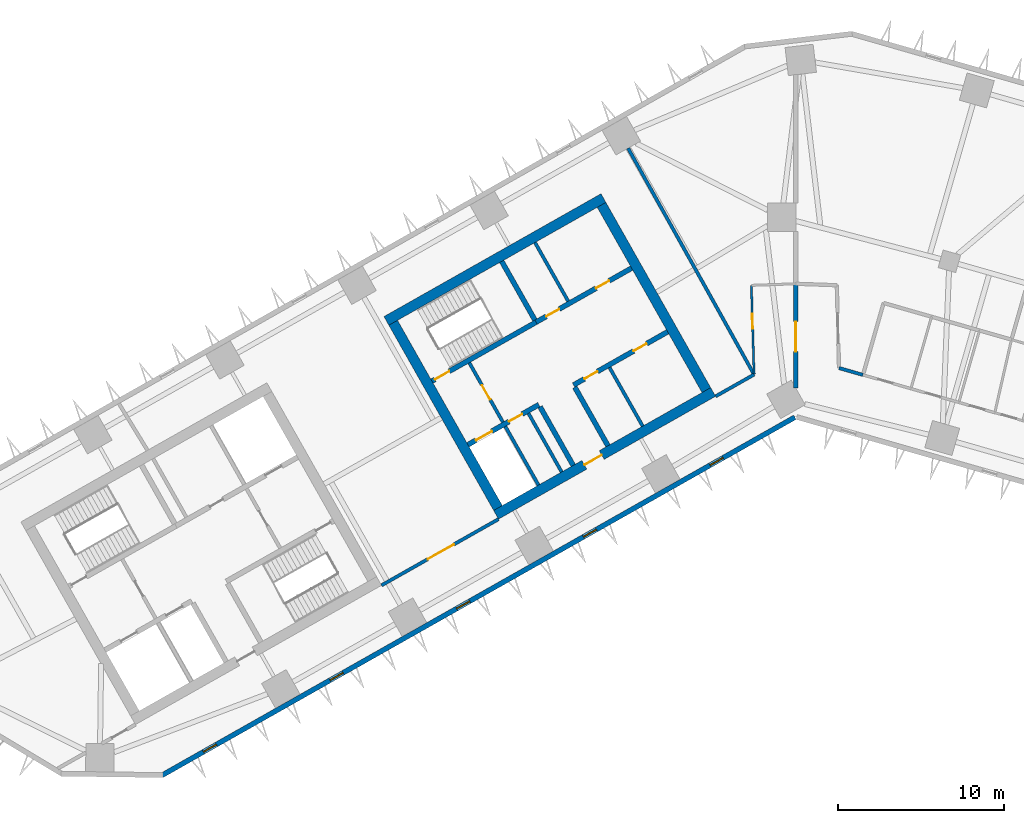
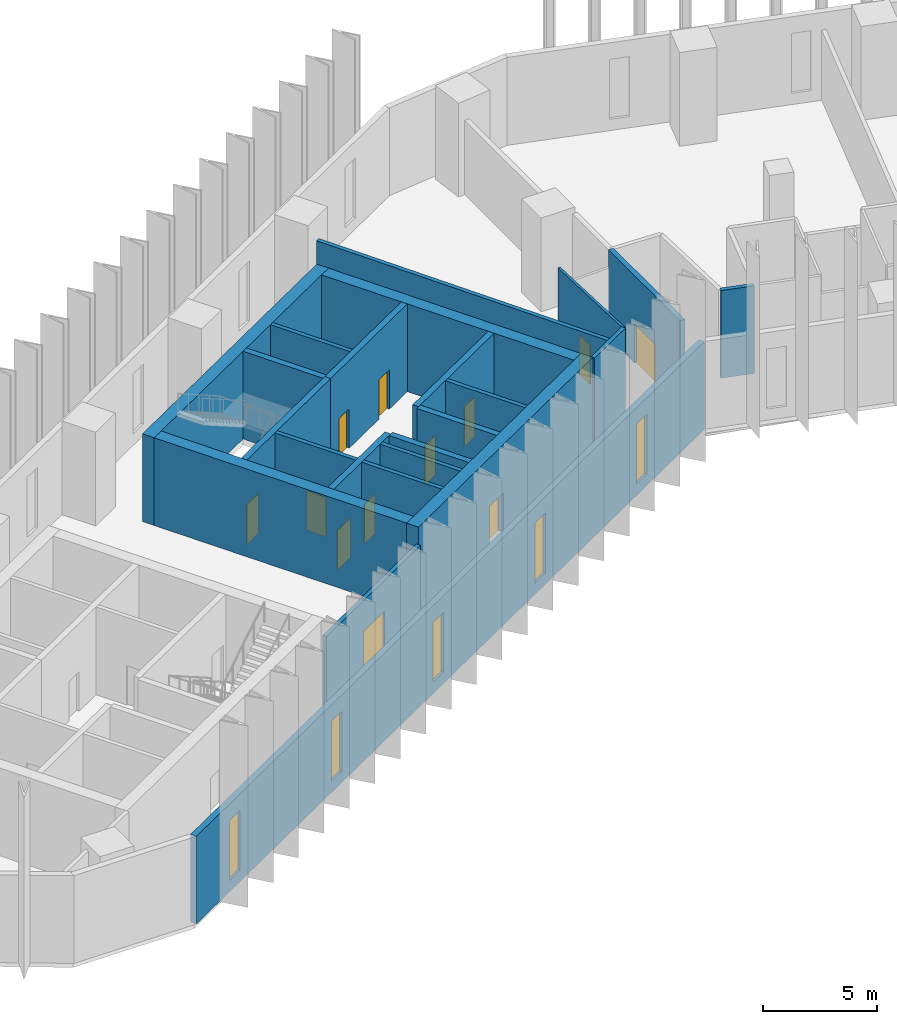
# One storey, part 4 of 11: 23 walls, 12 doors, 5 windows, 17 openings.
"""IFC4 building model written with IfcOpenShell, lengths in metres."""

from ifc_helpers import new_model, si_unit, direction, frame, frame_2d, origin, place, context, subcontext, project, spatial, rectangle, extrude, material, layer, layer_set, type_object, element, fill, save


model = new_model("IFC4")

# Units and contexts
model_context = context("Model", 3, precision=1e-05, world=origin(), true_north=direction((0.0, 1.0)))
body_context = subcontext(model_context, "Body", "Model", "MODEL_VIEW")
ifc_project = project(units=[si_unit("LENGTHUNIT", "METRE"), si_unit("AREAUNIT", "SQUARE_METRE"), si_unit("VOLUMEUNIT", "CUBIC_METRE"), si_unit("PLANEANGLEUNIT", "RADIAN"), si_unit("MASSUNIT", "GRAM", prefix="KILO")], contexts=[model_context])

# Site, building, storey
site_placement = place(None, origin())
site = spatial("IfcSite", under=ifc_project, at=site_placement, CompositionType="ELEMENT")
building_placement = place(site_placement, origin())
building = spatial("IfcBuilding", under=site, at=building_placement, Name="Binnacle Exchange Tower", CompositionType="ELEMENT")
storey_placement = place(building_placement, frame((0.0, 0.0, 56.5)))
storey = spatial("IfcBuildingStorey", under=building, at=storey_placement, Name="L11", CompositionType="ELEMENT", Elevation=56.5)

# Walls
ifc_material_1 = material(Name="Gypsum partition fire rated")
ifc_layer_1 = layer(ifc_material_1, 0.199951171875)
ifc_layer_set_1 = layer_set([ifc_layer_1], Name="Core partition 200")
wall_type_1 = type_object("IfcWallType", Name="Core partition 200", PredefinedType="PARTITIONING", material=ifc_layer_set_1)
for number, where, z_axis, x_axis, name in (
    (1, (-15.6845703125, 58.4794921875, 0.0), (0.0, 0.0, 1.0), (0.49241474071, -0.870360685654, 0.0), "Core wall CRWC17"),
    (2, (-11.201904296875, 50.96240234375, 0.0), (0.0, 0.0, 1.0), (0.49241474071, -0.870360685654, 0.0), "Core wall CRWC19"),
):
    element("IfcWall", number, at=place(storey_placement, frame(where, z_axis=z_axis, x_axis=x_axis)), inside=storey, type_object=wall_type_1, Name=name, PredefinedType="PARTITIONING", context=body_context, shape_type="SweptSolid", body=[
        extrude(rectangle(XDim=4.05029296875, YDim=0.199951171875, at=frame_2d((2.025146484375, 0.0))), origin(), (0.0, 0.0, 1.0), 4.679931640625),
    ])

# Wall, openings, doors
ifc_material_2 = material(Name="Concrete C70/85", Category="concrete")
ifc_layer_2 = layer(ifc_material_2, 0.300048828125)
ifc_layer_set_2 = layer_set([ifc_layer_2], Name="Core wall - front 300")
wall_type_2 = type_object("IfcWallType", Name="Core wall - front 300", PredefinedType="SOLIDWALL", material=ifc_layer_set_2)
wall_1_placement = place(storey_placement, frame((-19.718017578125, 46.31640625, 0.0), z_axis=(0.0, 0.0, 1.0), x_axis=(0.870353963862, 0.492426621528, 0.0)))
wall_1 = element("IfcWall", 3, at=wall_1_placement, inside=storey, type_object=wall_type_2, Name="Core wall CRWC2", PredefinedType="SOLIDWALL", context=body_context, shape_type="SweptSolid", body=[
    extrude(rectangle(XDim=4.89990234375, YDim=0.300048828125, at=frame_2d((2.449951171875, 0.0))), origin(), (0.0, 0.0, 1.0), 4.679931640625),
])
opening_1_placement = place(wall_1_placement, frame((0.550048828125, 0.0, 0.0)))
opening_1 = element("IfcOpeningElement", 4, at=opening_1_placement, cuts=wall_1, Name="Opening LD14", PredefinedType="OPENING", context=body_context, shape_type="SweptSolid", body=[
    extrude(rectangle(XDim=1.10009765625, YDim=2.10009765625, at=frame_2d((0.550048828125, 1.050048828125))), frame((0.0, 0.159912109375, 0.0), z_axis=(0.0, -1.0, 0.0), x_axis=(1.0, 0.0, 0.0)), (0.0, 0.0, 1.0), 0.320068359375),
])
opening_2_placement = place(wall_1_placement, frame((2.85009765625, 0.0, 0.0)))
opening_2 = element("IfcOpeningElement", 5, at=opening_2_placement, cuts=wall_1, Name="Opening DC14", PredefinedType="OPENING", context=body_context, shape_type="SweptSolid", body=[
    extrude(rectangle(XDim=0.89990234375, YDim=2.10009765625, at=frame_2d((0.449951171875, 1.050048828125))), frame((0.0, 0.159912109375, 0.0), z_axis=(0.0, -1.0, 0.0), x_axis=(1.0, 0.0, 0.0)), (0.0, 0.0, 1.0), 0.320068359375),
])
ifc_material_3 = material(Name="Steel door leaf", Category="steel")
door_type_1 = type_object("IfcDoorType", Name="Fire door - lift landing 1100", OperationType="NOTDEFINED", PredefinedType="DOOR", material=ifc_material_3)
door_1_placement = place(opening_1_placement, origin())
door_1 = element("IfcDoor", 6, at=door_1_placement, inside=storey, type_object=door_type_1, Name="Landing door LD14 L11", OperationType="DOUBLE_DOOR_SLIDING", OverallHeight=2.10009765625, OverallWidth=1.10009765625, PredefinedType="DOOR", context=body_context, shape_type="SweptSolid", body=[
    extrude(rectangle(XDim=1.10009765625, YDim=2.10009765625, at=frame_2d((0.550048828125, 1.050048828125))), frame((0.0, 0.02490234375, 0.0), z_axis=(0.0, -1.0, 0.0), x_axis=(1.0, 0.0, 0.0)), (0.0, 0.0, 1.0), 0.050048828125),
])
fill(opening_1, door_1)
door_type_2 = type_object("IfcDoorType", Name="Fire door 900", OperationType="NOTDEFINED", PredefinedType="DOOR", material=ifc_material_3)
door_2_placement = place(opening_2_placement, frame((0.89990234375, 0.0, 0.0), z_axis=(0.0, 0.0, 1.0), x_axis=(-1.0, 0.0, 0.0)))
door_2 = element("IfcDoor", 7, at=door_2_placement, inside=storey, type_object=door_type_2, Name="Core room door ELECTRICAL ROOM", OperationType="SINGLE_SWING_LEFT", OverallHeight=2.10009765625, OverallWidth=0.89990234375, PredefinedType="DOOR", context=body_context, shape_type="SweptSolid", body=[
    extrude(rectangle(XDim=0.89990234375, YDim=2.10009765625, at=frame_2d((0.449951171875, 1.050048828125))), frame((0.0, 0.02490234375, 0.0), z_axis=(0.0, -1.0, 0.0), x_axis=(1.0, 0.0, 0.0)), (0.0, 0.0, 1.0), 0.050048828125),
])
fill(opening_2, door_2)

wall_2_placement = place(storey_placement, frame((-13.364501953125, 49.910888671875, 0.0), z_axis=(0.0, 0.0, 1.0), x_axis=(0.870340995471, 0.49244954219, 0.0)))
wall_2 = element("IfcWall", 8, at=wall_2_placement, inside=storey, type_object=wall_type_2, Name="Core wall CRWC3", PredefinedType="SOLIDWALL", context=body_context, shape_type="SweptSolid", body=[
    extrude(rectangle(XDim=6.5, YDim=0.300048828125, at=frame_2d((3.25, 0.0))), origin(), (0.0, 0.0, 1.0), 4.679931640625),
])
opening_3_placement = place(wall_2_placement, frame((0.75, 0.0, 0.0)))
opening_3 = element("IfcOpeningElement", 9, at=opening_3_placement, cuts=wall_2, Name="Opening DC18", PredefinedType="OPENING", context=body_context, shape_type="SweptSolid", body=[
    extrude(rectangle(XDim=0.89990234375, YDim=2.10009765625, at=frame_2d((0.449951171875, 1.050048828125))), frame((0.0, 0.159912109375, 0.0), z_axis=(0.0, -1.0, 0.0), x_axis=(1.0, 0.0, 0.0)), (0.0, 0.0, 1.0), 0.320068359375),
])
opening_4_placement = place(wall_2_placement, frame((4.14990234375, 0.0, 0.0)))
opening_4 = element("IfcOpeningElement", 10, at=opening_4_placement, cuts=wall_2, Name="Opening DC19", PredefinedType="OPENING", context=body_context, shape_type="SweptSolid", body=[
    extrude(rectangle(XDim=0.89990234375, YDim=2.10009765625, at=frame_2d((0.449951171875, 1.050048828125))), frame((0.0, 0.159912109375, 0.0), z_axis=(0.0, -1.0, 0.0), x_axis=(1.0, 0.0, 0.0)), (0.0, 0.0, 1.0), 0.320068359375),
])
door_3_placement = place(opening_3_placement, frame((0.89990234375, 0.0, 0.0), z_axis=(0.0, 0.0, 1.0), x_axis=(-1.0, 0.0, 0.0)))
door_3 = element("IfcDoor", 11, at=door_3_placement, inside=storey, type_object=door_type_2, Name="Core room door COMMS RISER ROOM", OperationType="SINGLE_SWING_RIGHT", OverallHeight=2.10009765625, OverallWidth=0.89990234375, PredefinedType="DOOR", context=body_context, shape_type="SweptSolid", body=[
    extrude(rectangle(XDim=0.89990234375, YDim=2.10009765625, at=frame_2d((0.449951171875, 1.050048828125))), frame((0.0, 0.02490234375, 0.0), z_axis=(0.0, -1.0, 0.0), x_axis=(1.0, 0.0, 0.0)), (0.0, 0.0, 1.0), 0.050048828125),
])
fill(opening_3, door_3)
door_4_placement = place(opening_4_placement, frame((0.89990234375, 0.0, 0.0), z_axis=(0.0, 0.0, 1.0), x_axis=(-1.0, 0.0, 0.0)))
door_4 = element("IfcDoor", 12, at=door_4_placement, inside=storey, type_object=door_type_2, Name="Core room door TELECOM RISER ROOM", OperationType="SINGLE_SWING_LEFT", OverallHeight=2.10009765625, OverallWidth=0.89990234375, PredefinedType="DOOR", context=body_context, shape_type="SweptSolid", body=[
    extrude(rectangle(XDim=0.89990234375, YDim=2.10009765625, at=frame_2d((0.449951171875, 1.050048828125))), frame((0.0, 0.02490234375, 0.0), z_axis=(0.0, -1.0, 0.0), x_axis=(1.0, 0.0, 0.0)), (0.0, 0.0, 1.0), 0.050048828125),
])
fill(opening_4, door_4)

wall_3_placement = place(storey_placement, frame((-15.6181640625, 53.69140625, 0.0), z_axis=(0.0, 0.0, 1.0), x_axis=(0.870356769198, 0.492421663121, 0.0)))
wall_3 = element("IfcWall", 13, at=wall_3_placement, inside=storey, type_object=wall_type_2, Name="Core wall CRWC5", PredefinedType="SOLIDWALL", context=body_context, shape_type="SweptSolid", body=[
    extrude(rectangle(XDim=6.60009765625, YDim=0.300048828125, at=frame_2d((3.300048828125, 0.0))), origin(), (0.0, 0.0, 1.0), 4.679931640625),
])
opening_5_placement = place(wall_3_placement, frame((0.699951171875, 0.0, 0.0)))
opening_5 = element("IfcOpeningElement", 14, at=opening_5_placement, cuts=wall_3, Name="Opening DC10", PredefinedType="OPENING", context=body_context, shape_type="SweptSolid", body=[
    extrude(rectangle(XDim=0.89990234375, YDim=2.10009765625, at=frame_2d((0.449951171875, 1.050048828125))), frame((0.0, 0.159912109375, 0.0), z_axis=(0.0, -1.0, 0.0), x_axis=(1.0, 0.0, 0.0)), (0.0, 0.0, 1.0), 0.320068359375),
])
opening_6_placement = place(wall_3_placement, frame((4.14990234375, 0.0, 0.0)))
opening_6 = element("IfcOpeningElement", 15, at=opening_6_placement, cuts=wall_3, Name="Opening DC11", PredefinedType="OPENING", context=body_context, shape_type="SweptSolid", body=[
    extrude(rectangle(XDim=0.89990234375, YDim=2.10009765625, at=frame_2d((0.449951171875, 1.050048828125))), frame((0.0, 0.159912109375, 0.0), z_axis=(0.0, -1.0, 0.0), x_axis=(1.0, 0.0, 0.0)), (0.0, 0.0, 1.0), 0.320068359375),
])
door_5_placement = place(opening_5_placement, origin())
door_5 = element("IfcDoor", 16, at=door_5_placement, inside=storey, type_object=door_type_2, Name="Core room door FIBRE ENTRY ROOM", OperationType="SINGLE_SWING_LEFT", OverallHeight=2.10009765625, OverallWidth=0.89990234375, PredefinedType="DOOR", context=body_context, shape_type="SweptSolid", body=[
    extrude(rectangle(XDim=0.89990234375, YDim=2.10009765625, at=frame_2d((0.449951171875, 1.050048828125))), frame((0.0, 0.02490234375, 0.0), z_axis=(0.0, -1.0, 0.0), x_axis=(1.0, 0.0, 0.0)), (0.0, 0.0, 1.0), 0.050048828125),
])
fill(opening_5, door_5)
door_6_placement = place(opening_6_placement, origin())
door_6 = element("IfcDoor", 17, at=door_6_placement, inside=storey, type_object=door_type_2, Name="Core room door PANTRY", OperationType="SINGLE_SWING_RIGHT", OverallHeight=2.10009765625, OverallWidth=0.89990234375, PredefinedType="DOOR", context=body_context, shape_type="SweptSolid", body=[
    extrude(rectangle(XDim=0.89990234375, YDim=2.10009765625, at=frame_2d((0.449951171875, 1.050048828125))), frame((0.0, 0.02490234375, 0.0), z_axis=(0.0, -1.0, 0.0), x_axis=(1.0, 0.0, 0.0)), (0.0, 0.0, 1.0), 0.050048828125),
])
fill(opening_6, door_6)

# Walls
for number, where, z_axis, x_axis, name in (
    (18, (-15.37939453125, 48.5986328125, 0.0), (0.0, 0.0, 1.0), (0.492394910396, -0.870371904542, 0.0), "Core wall CRWC13"),
    (19, (-13.29052734375, 49.780517578125, 0.0), (0.0, 0.0, 1.0), (0.492394910396, -0.870371904542, 0.0), "Core wall CRWC15"),
):
    element("IfcWall", number, at=place(storey_placement, frame(where, z_axis=z_axis, x_axis=x_axis)), inside=storey, type_object=wall_type_2, Name=name, PredefinedType="SOLIDWALL", context=body_context, shape_type="SweptSolid", body=[
        extrude(rectangle(XDim=4.0498046875, YDim=0.300048828125, at=frame_2d((2.02490234375, 0.0))), origin(), (0.0, 0.0, 1.0), 4.679931640625),
    ])

# Wall, opening, door
ifc_layer_3 = layer(ifc_material_2, 0.60009765625)
ifc_layer_set_3 = layer_set([ifc_layer_3], Name="Core wall - outer 600")
wall_type_3 = type_object("IfcWallType", Name="Core wall - outer 600", PredefinedType="SOLIDWALL", material=ifc_layer_set_3)
wall_4_placement = place(storey_placement, frame((-18.0244140625, 42.104248046875, 0.0), z_axis=(0.0, 0.0, 1.0), x_axis=(0.870360574057, 0.492414937962, 0.0)))
wall_4 = element("IfcWall", 20, at=wall_4_placement, inside=storey, type_object=wall_type_3, Name="Core wall CRWC1", PredefinedType="SOLIDWALL", context=body_context, shape_type="SweptSolid", body=[
    extrude(rectangle(XDim=15.0, YDim=0.60009765625, at=frame_2d((7.5, 0.0))), origin(), (0.0, 0.0, 1.0), 4.679931640625),
])
opening_7_placement = place(wall_4_placement, frame((6.10009765625, 0.0, 0.0)))
opening_7 = element("IfcOpeningElement", 21, at=opening_7_placement, cuts=wall_4, Name="Opening DC7", PredefinedType="OPENING", context=body_context, shape_type="SweptSolid", body=[
    extrude(rectangle(XDim=1.199951171875, YDim=2.10009765625, at=frame_2d((0.60009765625, 1.050048828125))), frame((0.0, 0.31005859375, 0.0), z_axis=(0.0, -1.0, 0.0), x_axis=(1.0, 0.0, 0.0)), (0.0, 0.0, 1.0), 0.6201171875),
])
door_type_3 = type_object("IfcDoorType", Name="Fire door 1200", OperationType="NOTDEFINED", PredefinedType="DOOR", material=ifc_material_3)
door_7_placement = place(opening_7_placement, frame((1.199951171875, 0.0, 0.0), z_axis=(0.0, 0.0, 1.0), x_axis=(-1.0, 0.0, 0.0)))
door_7 = element("IfcDoor", 22, at=door_7_placement, inside=storey, type_object=door_type_3, Name="Lift lobby entrance door core C", OperationType="SINGLE_SWING_RIGHT", OverallHeight=2.10009765625, OverallWidth=1.199951171875, PredefinedType="DOOR", context=body_context, shape_type="SweptSolid", body=[
    extrude(rectangle(XDim=1.199951171875, YDim=2.10009765625, at=frame_2d((0.60009765625, 1.050048828125))), frame((0.0, 0.02490234375, 0.0), z_axis=(0.0, -1.0, 0.0), x_axis=(1.0, 0.0, 0.0)), (0.0, 0.0, 1.0), 0.050048828125),
])
fill(opening_7, door_7)

# Walls
wall_5_placement = place(storey_placement, frame((-24.622802734375, 53.76708984375, 0.0), z_axis=(0.0, 0.0, 1.0), x_axis=(0.870356627484, 0.492421913601, 0.0)))
element("IfcWall", 23, at=wall_5_placement, inside=storey, type_object=wall_type_3, Name="Core wall CRWC6", PredefinedType="SOLIDWALL", context=body_context, shape_type="SweptSolid", body=[
    extrude(rectangle(XDim=14.999755859375, YDim=0.60009765625, at=frame_2d((7.5, 0.0))), origin(), (0.0, 0.0, 1.0), 4.679931640625),
])
wall_6_placement = place(storey_placement, frame((-24.214111328125, 53.653564453125, 0.0), z_axis=(0.0, 0.0, 1.0), x_axis=(0.492441221355, -0.870345703448, 0.0)))
element("IfcWall", 24, at=wall_6_placement, inside=storey, type_object=wall_type_3, Name="Core wall CRWC7", PredefinedType="SOLIDWALL", context=body_context, shape_type="SweptSolid", body=[
    extrude(rectangle(XDim=12.800048828125, YDim=0.60009765625, at=frame_2d((6.39990234375, 0.0))), origin(), (0.0, 0.0, 1.0), 4.679931640625),
])
wall_7_placement = place(storey_placement, frame((-11.680908203125, 60.744384765625, 0.0), z_axis=(0.0, 0.0, 1.0), x_axis=(0.492426772896, -0.870353878221, 0.0)))
element("IfcWall", 25, at=wall_7_placement, inside=storey, type_object=wall_type_3, Name="Core wall CRWC24", PredefinedType="SOLIDWALL", context=body_context, shape_type="SweptSolid", body=[
    extrude(rectangle(XDim=12.7998046875, YDim=0.60009765625, at=frame_2d((6.39990234375, 0.0))), origin(), (0.0, 0.0, 1.0), 4.679931640625),
])

# Wall, opening, door
ifc_layer_4 = layer(ifc_material_2, 0.300048828125)
ifc_layer_set_4 = layer_set([ifc_layer_4], Name="Core wall - stair 300")
wall_type_4 = type_object("IfcWallType", Name="Core wall - stair 300", PredefinedType="SOLIDWALL", material=ifc_layer_set_4)
wall_8_placement = place(storey_placement, frame((-21.884765625, 50.14599609375, 0.0), z_axis=(0.0, 0.0, 1.0), x_axis=(0.870359411463, 0.492416992881, 0.0)))
wall_8 = element("IfcWall", 26, at=wall_8_placement, inside=storey, type_object=wall_type_4, Name="Core wall CRWC4", PredefinedType="SOLIDWALL", context=body_context, shape_type="SweptSolid", body=[
    extrude(rectangle(XDim=7.199951171875, YDim=0.300048828125, at=frame_2d((3.60009765625, 0.0))), origin(), (0.0, 0.0, 1.0), 4.679931640625),
])
opening_8_placement = place(wall_8_placement, frame((0.199951171875, 0.0, 0.0)))
opening_8 = element("IfcOpeningElement", 27, at=opening_8_placement, cuts=wall_8, Name="Opening DC1", PredefinedType="OPENING", context=body_context, shape_type="SweptSolid", body=[
    extrude(rectangle(XDim=1.0, YDim=2.10009765625, at=frame_2d((0.5, 1.050048828125))), frame((0.0, 0.159912109375, 0.0), z_axis=(0.0, -1.0, 0.0), x_axis=(1.0, 0.0, 0.0)), (0.0, 0.0, 1.0), 0.320068359375),
])
door_type_4 = type_object("IfcDoorType", Name="Fire door 1000", OperationType="NOTDEFINED", PredefinedType="DOOR", material=ifc_material_3)
door_8_placement = place(opening_8_placement, origin())
door_8 = element("IfcDoor", 28, at=door_8_placement, inside=storey, type_object=door_type_4, Name="Stair door ST-C1", OperationType="SINGLE_SWING_LEFT", OverallHeight=2.10009765625, OverallWidth=1.0, PredefinedType="DOOR", context=body_context, shape_type="SweptSolid", body=[
    extrude(rectangle(XDim=1.0, YDim=2.10009765625, at=frame_2d((0.5, 1.050048828125))), frame((0.0, 0.02490234375, 0.0), z_axis=(0.0, -1.0, 0.0), x_axis=(1.0, 0.0, 0.0)), (0.0, 0.0, 1.0), 0.050048828125),
])
fill(opening_8, door_8)

# Wall
wall_9_placement = place(storey_placement, frame((-17.686279296875, 57.3466796875, 0.0), z_axis=(0.0, 0.0, 1.0), x_axis=(0.492420746998, -0.870357287513, 0.0)))
element("IfcWall", 29, at=wall_9_placement, inside=storey, type_object=wall_type_4, Name="Core wall CRWC14", PredefinedType="SOLIDWALL", context=body_context, shape_type="SweptSolid", body=[
    extrude(rectangle(XDim=4.049560546875, YDim=0.300048828125, at=frame_2d((2.02490234375, 0.0))), origin(), (0.0, 0.0, 1.0), 4.679931640625),
])

# Wall, openings, windows
ifc_material_4 = material(Name="Bronze aluminium cladding", Category="aluminium")
ifc_layer_5 = layer(ifc_material_4, 0.300048828125)
ifc_layer_set_5 = layer_set([ifc_layer_5], Name="External wall - spandrel 300")
wall_type_5 = type_object("IfcWallType", Name="External wall - spandrel 300", PredefinedType="STANDARD", material=ifc_layer_set_5)
wall_10_placement = place(storey_placement, frame((-0.0546875, 47.968994140625, 0.0), z_axis=(0.0, 0.0, 1.0), x_axis=(-0.870355730478, -0.492423499058, 0.0)))
wall_10 = element("IfcWall", 30, at=wall_10_placement, inside=storey, type_object=wall_type_5, Name="External wall EW-F07 L11", PredefinedType="STANDARD", context=body_context, shape_type="SweptSolid", body=[
    extrude(rectangle(XDim=43.750244140625, YDim=0.300048828125, at=frame_2d((21.875, 0.0))), origin(), (0.0, 0.0, 1.0), 4.679931640625),
])
opening_9_placement = place(wall_10_placement, frame((39.976806640625, 0.0, 0.60009765625)))
opening_9 = element("IfcOpeningElement", 31, at=opening_9_placement, cuts=wall_10, Name="Opening WS1", PredefinedType="OPENING", context=body_context, shape_type="SweptSolid", body=[
    extrude(rectangle(XDim=0.89990234375, YDim=3.199951171875, at=frame_2d((0.449951171875, 1.60009765625))), frame((0.0, 0.159912109375, 0.0), z_axis=(0.0, -1.0, 0.0), x_axis=(1.0, 0.0, 0.0)), (0.0, 0.0, 1.0), 0.320068359375),
])
opening_10_placement = place(wall_10_placement, frame((31.222412109375, 0.0, 0.60009765625)))
opening_10 = element("IfcOpeningElement", 32, at=opening_10_placement, cuts=wall_10, Name="Opening WS1", PredefinedType="OPENING", context=body_context, shape_type="SweptSolid", body=[
    extrude(rectangle(XDim=0.89990234375, YDim=3.199951171875, at=frame_2d((0.449951171875, 1.60009765625))), frame((0.0, 0.159912109375, 0.0), z_axis=(0.0, -1.0, 0.0), x_axis=(1.0, 0.0, 0.0)), (0.0, 0.0, 1.0), 0.320068359375),
])
opening_11_placement = place(wall_10_placement, frame((22.4677734375, 0.0, 0.60009765625)))
opening_11 = element("IfcOpeningElement", 33, at=opening_11_placement, cuts=wall_10, Name="Opening WS1", PredefinedType="OPENING", context=body_context, shape_type="SweptSolid", body=[
    extrude(rectangle(XDim=0.89990234375, YDim=3.199951171875, at=frame_2d((0.449951171875, 1.60009765625))), frame((0.0, 0.159912109375, 0.0), z_axis=(0.0, -1.0, 0.0), x_axis=(1.0, 0.0, 0.0)), (0.0, 0.0, 1.0), 0.320068359375),
])
opening_12_placement = place(wall_10_placement, frame((13.713134765625, 0.0, 0.60009765625)))
opening_12 = element("IfcOpeningElement", 34, at=opening_12_placement, cuts=wall_10, Name="Opening WS1", PredefinedType="OPENING", context=body_context, shape_type="SweptSolid", body=[
    extrude(rectangle(XDim=0.89990234375, YDim=3.199951171875, at=frame_2d((0.449951171875, 1.60009765625))), frame((0.0, 0.159912109375, 0.0), z_axis=(0.0, -1.0, 0.0), x_axis=(1.0, 0.0, 0.0)), (0.0, 0.0, 1.0), 0.320068359375),
])
opening_13_placement = place(wall_10_placement, frame((4.958740234375, 0.0, 0.60009765625)))
opening_13 = element("IfcOpeningElement", 35, at=opening_13_placement, cuts=wall_10, Name="Opening WS1", PredefinedType="OPENING", context=body_context, shape_type="SweptSolid", body=[
    extrude(rectangle(XDim=0.89990234375, YDim=3.199951171875, at=frame_2d((0.449951171875, 1.60009765625))), frame((0.0, 0.159912109375, 0.0), z_axis=(0.0, -1.0, 0.0), x_axis=(1.0, 0.0, 0.0)), (0.0, 0.0, 1.0), 0.320068359375),
])
ifc_material_5 = material(Name="Bronze anodised aluminium frame", Category="aluminium")
window_type = type_object("IfcWindowType", Name="WS1 WINDOW 900x3200", PartitioningType="SINGLE_PANEL", PredefinedType="WINDOW", material=ifc_material_5)
window_1_placement = place(opening_9_placement, origin())
window_1 = element("IfcWindow", 36, at=window_1_placement, inside=storey, type_object=window_type, Name="Window WS1 L11", OverallHeight=3.199951171875, OverallWidth=0.89990234375, PartitioningType="SINGLE_PANEL", PredefinedType="WINDOW", context=body_context, shape_type="SweptSolid", body=[
    extrude(rectangle(XDim=0.89990234375, YDim=3.199951171875, at=frame_2d((0.449951171875, 1.60009765625))), frame((0.0, 0.030029296875, 0.0), z_axis=(0.0, -1.0, 0.0), x_axis=(1.0, 0.0, 0.0)), (0.0, 0.0, 1.0), 0.06005859375),
])
fill(opening_9, window_1)
window_2_placement = place(opening_10_placement, origin())
window_2 = element("IfcWindow", 37, at=window_2_placement, inside=storey, type_object=window_type, Name="Window WS1 L11", OverallHeight=3.199951171875, OverallWidth=0.89990234375, PartitioningType="SINGLE_PANEL", PredefinedType="WINDOW", context=body_context, shape_type="SweptSolid", body=[
    extrude(rectangle(XDim=0.89990234375, YDim=3.199951171875, at=frame_2d((0.449951171875, 1.60009765625))), frame((0.0, 0.030029296875, 0.0), z_axis=(0.0, -1.0, 0.0), x_axis=(1.0, 0.0, 0.0)), (0.0, 0.0, 1.0), 0.06005859375),
])
fill(opening_10, window_2)
window_3_placement = place(opening_11_placement, origin())
window_3 = element("IfcWindow", 38, at=window_3_placement, inside=storey, type_object=window_type, Name="Window WS1 L11", OverallHeight=3.199951171875, OverallWidth=0.89990234375, PartitioningType="SINGLE_PANEL", PredefinedType="WINDOW", context=body_context, shape_type="SweptSolid", body=[
    extrude(rectangle(XDim=0.89990234375, YDim=3.199951171875, at=frame_2d((0.449951171875, 1.60009765625))), frame((0.0, 0.030029296875, 0.0), z_axis=(0.0, -1.0, 0.0), x_axis=(1.0, 0.0, 0.0)), (0.0, 0.0, 1.0), 0.06005859375),
])
fill(opening_11, window_3)
window_4_placement = place(opening_12_placement, origin())
window_4 = element("IfcWindow", 39, at=window_4_placement, inside=storey, type_object=window_type, Name="Window WS1 L11", OverallHeight=3.199951171875, OverallWidth=0.89990234375, PartitioningType="SINGLE_PANEL", PredefinedType="WINDOW", context=body_context, shape_type="SweptSolid", body=[
    extrude(rectangle(XDim=0.89990234375, YDim=3.199951171875, at=frame_2d((0.449951171875, 1.60009765625))), frame((0.0, 0.030029296875, 0.0), z_axis=(0.0, -1.0, 0.0), x_axis=(1.0, 0.0, 0.0)), (0.0, 0.0, 1.0), 0.06005859375),
])
fill(opening_12, window_4)
window_5_placement = place(opening_13_placement, origin())
window_5 = element("IfcWindow", 40, at=window_5_placement, inside=storey, type_object=window_type, Name="Window WS1 L11", OverallHeight=3.199951171875, OverallWidth=0.89990234375, PartitioningType="SINGLE_PANEL", PredefinedType="WINDOW", context=body_context, shape_type="SweptSolid", body=[
    extrude(rectangle(XDim=0.89990234375, YDim=3.199951171875, at=frame_2d((0.449951171875, 1.60009765625))), frame((0.0, 0.030029296875, 0.0), z_axis=(0.0, -1.0, 0.0), x_axis=(1.0, 0.0, 0.0)), (0.0, 0.0, 1.0), 0.06005859375),
])
fill(opening_13, window_5)

# Wall, opening, door
ifc_material_6 = material(Name="Masonry block wall", Category="masonry")
ifc_layer_6 = layer(ifc_material_6, 0.199951171875)
ifc_layer_set_6 = layer_set([ifc_layer_6], Name="Fire wall - block 200")
wall_type_6 = type_object("IfcWallType", Name="Fire wall - block 200", PredefinedType="PARTITIONING", material=ifc_layer_set_6)
wall_11_placement = place(storey_placement, frame((-24.9189453125, 37.85888671875, 0.0), z_axis=(0.0, 0.0, 1.0), x_axis=(0.870357635969, 0.492420131098, 0.0)))
wall_11 = element("IfcWall", 41, at=wall_11_placement, inside=storey, type_object=wall_type_6, Name="Partition W04", PredefinedType="PARTITIONING", context=body_context, shape_type="SweptSolid", body=[
    extrude(rectangle(XDim=8.0908203125, YDim=0.199951171875, at=frame_2d((4.04541015625, 0.0))), origin(), (0.0, 0.0, 1.0), 3.748046875),
])
opening_14_placement = place(wall_11_placement, frame((3.199951171875, 0.0, 0.0)))
opening_14 = element("IfcOpeningElement", 42, at=opening_14_placement, cuts=wall_11, Name="Opening DL11-02", PredefinedType="OPENING", context=body_context, shape_type="SweptSolid", body=[
    extrude(rectangle(XDim=1.800048828125, YDim=2.10009765625, at=frame_2d((0.89990234375, 1.050048828125))), frame((0.0, 0.10986328125, 0.0), z_axis=(0.0, -1.0, 0.0), x_axis=(1.0, 0.0, 0.0)), (0.0, 0.0, 1.0), 0.219970703125),
])
door_type_5 = type_object("IfcDoorType", Name="Fire door 1800", OperationType="NOTDEFINED", PredefinedType="DOOR", material=ifc_material_3)
door_9_placement = place(opening_14_placement, origin())
door_9 = element("IfcDoor", 43, at=door_9_placement, inside=storey, type_object=door_type_5, Name="Door DL11-02", OperationType="DOUBLE_DOOR_SINGLE_SWING", OverallHeight=2.10009765625, OverallWidth=1.800048828125, PredefinedType="DOOR", context=body_context, shape_type="SweptSolid", body=[
    extrude(rectangle(XDim=1.800048828125, YDim=2.10009765625, at=frame_2d((0.89990234375, 1.050048828125))), frame((0.0, 0.02490234375, 0.0), z_axis=(0.0, -1.0, 0.0), x_axis=(1.0, 0.0, 0.0)), (0.0, 0.0, 1.0), 0.050048828125),
])
fill(opening_14, door_9)

# Walls
wall_12_placement = place(storey_placement, frame((-10.087890625, 64.155029296875, 0.0), z_axis=(0.0, 0.0, 1.0), x_axis=(0.486446127767, -0.873710572661, 0.0)))
element("IfcWall", 44, at=wall_12_placement, inside=storey, type_object=wall_type_6, Name="Partition W05", PredefinedType="PARTITIONING", context=body_context, shape_type="SweptSolid", body=[
    extrude(rectangle(XDim=15.583984375, YDim=0.199951171875, at=frame_2d((7.7919921875, 0.0))), origin(), (0.0, 0.0, 1.0), 3.760009765625),
])
wall_13_placement = place(storey_placement, frame((-4.821044921875, 49.22998046875, 0.0), z_axis=(0.0, 0.0, 1.0), x_axis=(0.870371217631, 0.492396124598, 0.0)))
element("IfcWall", 45, at=wall_13_placement, inside=storey, type_object=wall_type_6, Name="Partition W06", PredefinedType="PARTITIONING", context=body_context, shape_type="SweptSolid", body=[
    extrude(rectangle(XDim=2.65869140625, YDim=0.199951171875, at=frame_2d((1.329345703125, 0.0))), origin(), (0.0, 0.0, 1.0), 4.679931640625),
])
wall_14_placement = place(storey_placement, frame((2.60107421875, 50.931884765625, 0.0), z_axis=(0.0, 0.0, 1.0), x_axis=(0.961197773994, -0.27586018065, 0.0)))
element("IfcWall", 46, at=wall_14_placement, inside=storey, type_object=wall_type_6, Name="Partition W14", PredefinedType="PARTITIONING", context=body_context, shape_type="SweptSolid", body=[
    extrude(rectangle(XDim=1.5, YDim=0.199951171875, at=frame_2d((0.75, 0.0))), origin(), (0.0, 0.0, 1.0), 4.679931640625),
])

# Wall, opening, door
ifc_material_7 = material(Name="Concrete fire wall C30/37", Category="concrete")
ifc_layer_7 = layer(ifc_material_7, 0.25)
ifc_layer_set_7 = layer_set([ifc_layer_7], Name="Fire wall - compartment 250")
wall_type_7 = type_object("IfcWallType", Name="Fire wall - compartment 250", PredefinedType="PARTITIONING", material=ifc_layer_set_7)
wall_15_placement = place(storey_placement, frame((0.0, 49.72607421875, 0.0), z_axis=(0.0, 0.0, 1.0), x_axis=(0.0, 1.0, 0.0)))
wall_15 = element("IfcWall", 47, at=wall_15_placement, inside=storey, type_object=wall_type_7, Name="Fire Wall W09", PredefinedType="PARTITIONING", context=body_context, shape_type="SweptSolid", body=[
    extrude(rectangle(XDim=6.27392578125, YDim=0.25, at=frame_2d((3.136962890625, 0.0))), origin(), (0.0, 0.0, 1.0), 4.679931640625),
])
opening_15_placement = place(wall_15_placement, frame((2.199951171875, 0.0, 0.0)))
opening_15 = element("IfcOpeningElement", 48, at=opening_15_placement, cuts=wall_15, Name="Opening DL11-14", PredefinedType="OPENING", context=body_context, shape_type="SweptSolid", body=[
    extrude(rectangle(XDim=1.800048828125, YDim=2.10009765625, at=frame_2d((0.89990234375, 1.050048828125))), frame((0.0, 0.135009765625, 0.0), z_axis=(0.0, -1.0, 0.0), x_axis=(1.0, 0.0, 0.0)), (0.0, 0.0, 1.0), 0.27001953125),
])
door_10_placement = place(opening_15_placement, origin())
door_10 = element("IfcDoor", 49, at=door_10_placement, inside=storey, type_object=door_type_5, Name="Door DL11-14", OperationType="DOUBLE_DOOR_SINGLE_SWING", OverallHeight=2.10009765625, OverallWidth=1.800048828125, PredefinedType="DOOR", context=body_context, shape_type="SweptSolid", body=[
    extrude(rectangle(XDim=1.800048828125, YDim=2.10009765625, at=frame_2d((0.89990234375, 1.050048828125))), frame((0.0, 0.02490234375, 0.0), z_axis=(0.0, -1.0, 0.0), x_axis=(1.0, 0.0, 0.0)), (0.0, 0.0, 1.0), 0.050048828125),
])
fill(opening_15, door_10)

ifc_layer_8 = layer(ifc_material_6, 0.199951171875)
ifc_layer_set_8 = layer_set([ifc_layer_8], Name="Fire wall - vestibule 200")
wall_type_8 = type_object("IfcWallType", Name="Fire wall - vestibule 200", PredefinedType="PARTITIONING", material=ifc_layer_set_8)
wall_16_placement = place(storey_placement, frame((-19.635009765625, 51.246337890625, 0.0), z_axis=(0.0, 0.0, 1.0), x_axis=(0.492408451753, -0.87036424366, 0.0)))
wall_16 = element("IfcWall", 50, at=wall_16_placement, inside=storey, type_object=wall_type_8, Name="Core wall CRWC10", PredefinedType="PARTITIONING", context=body_context, shape_type="SweptSolid", body=[
    extrude(rectangle(XDim=4.099853515625, YDim=0.199951171875, at=frame_2d((2.0498046875, 0.0))), origin(), (0.0, 0.0, 1.0), 4.679931640625),
])
opening_16_placement = place(wall_16_placement, frame((1.550048828125, 0.0, 0.0)))
opening_16 = element("IfcOpeningElement", 51, at=opening_16_placement, cuts=wall_16, Name="Opening DC3", PredefinedType="OPENING", context=body_context, shape_type="SweptSolid", body=[
    extrude(rectangle(XDim=1.0, YDim=2.10009765625, at=frame_2d((0.5, 1.050048828125))), frame((0.0, 0.10986328125, 0.0), z_axis=(0.0, -1.0, 0.0), x_axis=(1.0, 0.0, 0.0)), (0.0, 0.0, 1.0), 0.219970703125),
])
door_11_placement = place(opening_16_placement, frame((1.0, 0.0, 0.0), z_axis=(0.0, 0.0, 1.0), x_axis=(-1.0, 0.0, 0.0)))
door_11 = element("IfcDoor", 52, at=door_11_placement, inside=storey, type_object=door_type_4, Name="Vestibule door VEST-W", OperationType="SINGLE_SWING_RIGHT", OverallHeight=2.10009765625, OverallWidth=1.0, PredefinedType="DOOR", context=body_context, shape_type="SweptSolid", body=[
    extrude(rectangle(XDim=1.0, YDim=2.10009765625, at=frame_2d((0.5, 1.050048828125))), frame((0.0, 0.02490234375, 0.0), z_axis=(0.0, -1.0, 0.0), x_axis=(1.0, 0.0, 0.0)), (0.0, 0.0, 1.0), 0.050048828125),
])
fill(opening_16, door_11)

ifc_material_8 = material(Name="Gypsum partition")
ifc_layer_9 = layer(ifc_material_8, 0.125)
ifc_layer_set_9 = layer_set([ifc_layer_9], Name="Partition 125")
wall_type_9 = type_object("IfcWallType", Name="Partition 125", PredefinedType="PARTITIONING", material=ifc_layer_set_9)
wall_17_placement = place(storey_placement, frame((-2.669921875, 55.904052734375, 0.0), z_axis=(0.0, 0.0, 1.0), x_axis=(0.030338701418, -0.999539675649, 0.0)))
wall_17 = element("IfcWall", 53, at=wall_17_placement, inside=storey, type_object=wall_type_9, Name="Partition W07", PredefinedType="PARTITIONING", context=body_context, shape_type="SweptSolid", body=[
    extrude(rectangle(XDim=5.367431640625, YDim=0.125, at=frame_2d((2.68359375, 0.0))), origin(), (0.0, 0.0, 1.0), 4.679931640625),
])
opening_17_placement = place(wall_17_placement, frame((1.699951171875, 0.0, 0.0)))
opening_17 = element("IfcOpeningElement", 54, at=opening_17_placement, cuts=wall_17, Name="Opening DL11-03", PredefinedType="OPENING", context=body_context, shape_type="SweptSolid", body=[
    extrude(rectangle(XDim=0.89990234375, YDim=2.10009765625, at=frame_2d((0.449951171875, 1.050048828125))), frame((0.0, 0.072509765625, 0.0), z_axis=(0.0, -1.0, 0.0), x_axis=(1.0, 0.0, 0.0)), (0.0, 0.0, 1.0), 0.14501953125),
])
ifc_material_9 = material(Name="Timber door leaf", Category="wood")
door_type_6 = type_object("IfcDoorType", Name="Door 900", OperationType="NOTDEFINED", PredefinedType="DOOR", material=ifc_material_9)
door_12_placement = place(opening_17_placement, frame((0.89990234375, 0.0, 0.0), z_axis=(0.0, 0.0, 1.0), x_axis=(-1.0, 0.0, 0.0)))
door_12 = element("IfcDoor", 55, at=door_12_placement, inside=storey, type_object=door_type_6, Name="Door DL11-03", OperationType="SINGLE_SWING_RIGHT", OverallHeight=2.10009765625, OverallWidth=0.89990234375, PredefinedType="DOOR", context=body_context, shape_type="SweptSolid", body=[
    extrude(rectangle(XDim=0.89990234375, YDim=2.10009765625, at=frame_2d((0.449951171875, 1.050048828125))), frame((0.0, 0.02490234375, 0.0), z_axis=(0.0, -1.0, 0.0), x_axis=(1.0, 0.0, 0.0)), (0.0, 0.0, 1.0), 0.050048828125),
])
fill(opening_17, door_12)

# Walls
ifc_layer_10 = layer(ifc_material_6, 0.199951171875)
ifc_layer_set_10 = layer_set([ifc_layer_10], Name="Riser wall 200")
wall_type_10 = type_object("IfcWallType", Name="Riser wall 200", PredefinedType="SOLIDWALL", material=ifc_layer_set_10)
wall_18_placement = place(storey_placement, frame((-16.07568359375, 48.20458984375, 0.0), z_axis=(0.0, 0.0, 1.0), x_axis=(0.492394910396, -0.870371904542, 0.0)))
element("IfcWall", 56, at=wall_18_placement, inside=storey, type_object=wall_type_10, Name="Core wall CRWC12", PredefinedType="SOLIDWALL", context=body_context, shape_type="SweptSolid", body=[
    extrude(rectangle(XDim=4.0498046875, YDim=0.199951171875, at=frame_2d((2.02490234375, 0.0))), origin(), (0.0, 0.0, 1.0), 4.679931640625),
])
ifc_layer_11 = layer(ifc_material_6, 0.199951171875)
ifc_layer_set_11 = layer_set([ifc_layer_11], Name="Shaft wall 200")
wall_type_11 = type_object("IfcWallType", Name="Shaft wall 200", PredefinedType="SOLIDWALL", material=ifc_layer_set_11)
wall_19_placement = place(storey_placement, frame((-17.468505859375, 47.416748046875, 0.0), z_axis=(0.0, 0.0, 1.0), x_axis=(0.492440575896, -0.870346068648, 0.0)))
element("IfcWall", 57, at=wall_19_placement, inside=storey, type_object=wall_type_11, Name="Core wall CRWC9", PredefinedType="SOLIDWALL", context=body_context, shape_type="SweptSolid", body=[
    extrude(rectangle(XDim=4.050048828125, YDim=0.199951171875, at=frame_2d((2.02490234375, 0.0))), origin(), (0.0, 0.0, 1.0), 4.679931640625),
])

save(model, "model.ifc")
